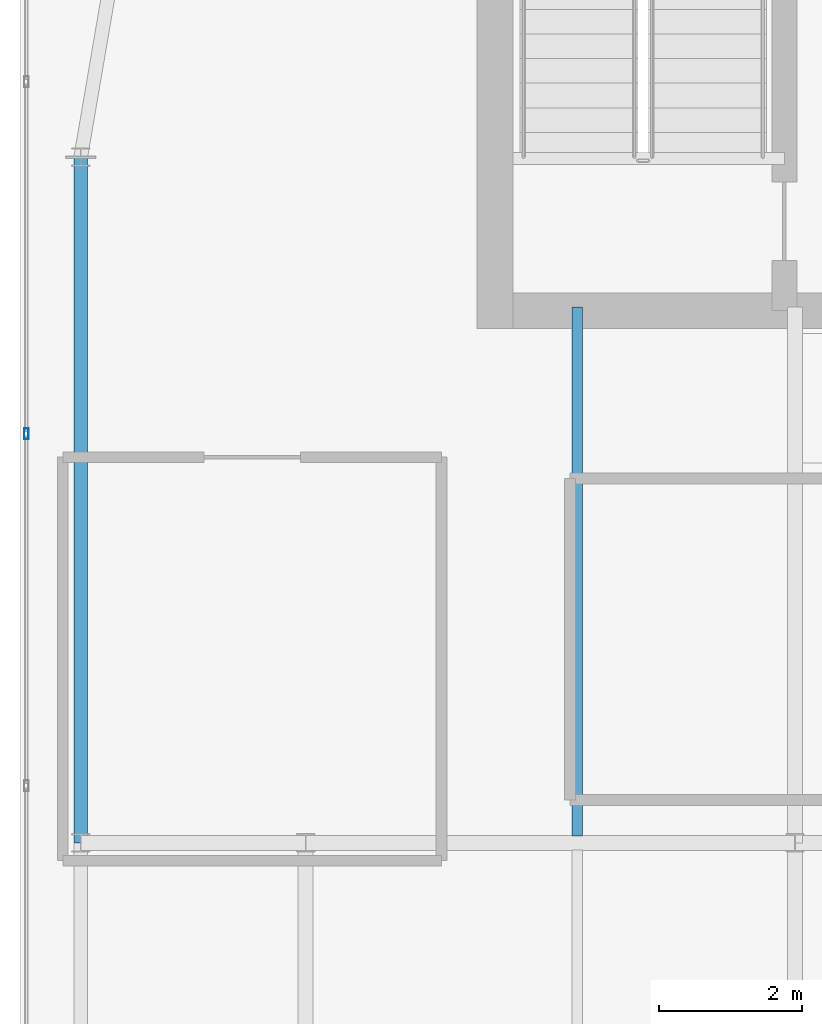
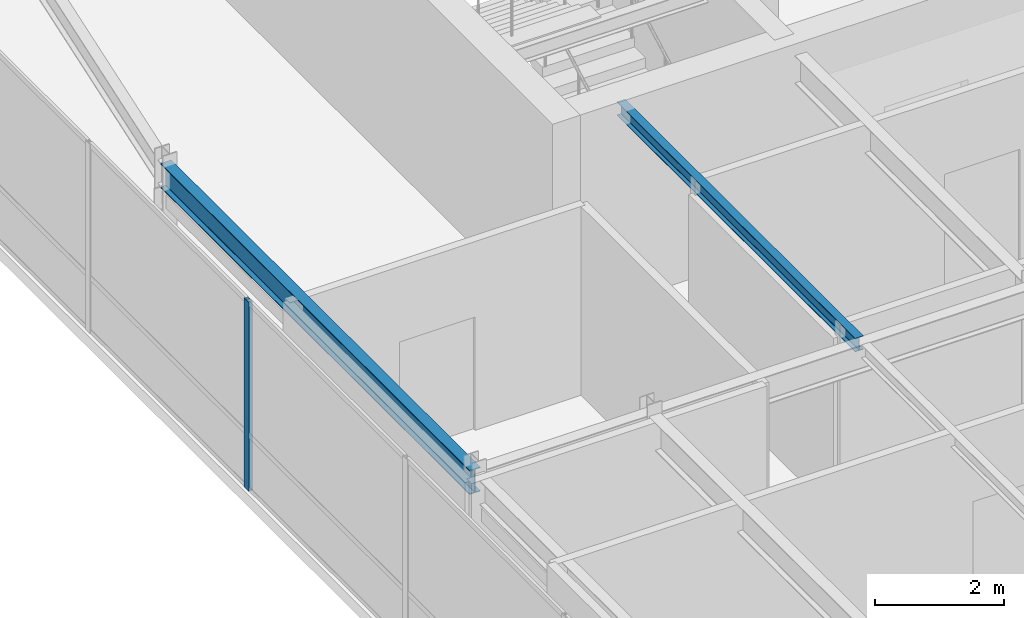
# One storey, part 17 of 36: 2 beams, 1 member, 1 element without a shape of its own.
"""IFC4 building model written with IfcOpenShell, lengths in metres."""

from ifc_helpers import new_model, si_unit, direction, frame, origin, origin_2d, place, context, subcontext, project, spatial, hollow_rectangle, i_section, extrude, source, transform, mapped, material, layer, layer_set, material_profile, profile_set, type_object, type_shapes, element, aggregate, save


model = new_model("IFC4")

# Units and contexts
model_context = context("Model", 3, precision=1e-05, world=origin(), true_north=direction((0.0, 1.0)))
body_context = subcontext(model_context, "Body", "Model", "MODEL_VIEW")
ifc_project = project(units=[si_unit("LENGTHUNIT", "METRE"), si_unit("AREAUNIT", "SQUARE_METRE"), si_unit("VOLUMEUNIT", "CUBIC_METRE"), si_unit("PLANEANGLEUNIT", "RADIAN"), si_unit("MASSUNIT", "GRAM", prefix="KILO")], contexts=[model_context])

# Site, building, storey
site_placement = place(None, origin())
site = spatial("IfcSite", under=ifc_project, at=site_placement, CompositionType="ELEMENT")
building_placement = place(site_placement, origin())
building = spatial("IfcBuilding", under=site, at=building_placement, Name="Tolvann Quenvar Hotel", CompositionType="ELEMENT")
storey_placement = place(building_placement, frame((0.0, 0.0, 298.550048828125)))
storey = spatial("IfcBuildingStorey", under=building, at=storey_placement, Name="L79", CompositionType="ELEMENT", Elevation=298.550048828125)

# Beams
ifc_material_1 = material(Name="Steel Grade 350", Category="steel")
ifc_material_profile_1 = material_profile(ifc_material_1, i_section(OverallWidth=0.19091796875, OverallDepth=0.4599609375, WebThickness=0.010009765625, FlangeThickness=0.01611328125, FilletRadius=0.011474609375, at=origin_2d()), Name="460UB82")
ifc_profile_set_1 = profile_set([ifc_material_profile_1], Name="Steel Grade 350")
beam_type_1 = type_object("IfcBeamType", Name="BM_SPAND_460UB82", PredefinedType="SPANDREL", material=ifc_profile_set_1)
shared_shape_1 = source(origin(), body_context, "Body", "SweptSolid", [
    extrude(i_section(OverallWidth=0.19091796875, OverallDepth=0.4599609375, WebThickness=0.010009765625, FlangeThickness=0.01611328125, FilletRadius=0.011474609375, at=origin_2d()), origin(), (0.0, 0.0, 1.0), 9.60009765625),
])
type_shapes(beam_type_1, [shared_shape_1])
beam_1_placement = place(storey_placement, frame((4.449951171875, 24.39990234375, 3.349853515625), z_axis=(0.0, 1.0, 0.0), x_axis=(-1.0, 0.0, 0.0)))
element("IfcBeam", 1, at=beam_1_placement, inside=storey, type_object=beam_type_1, Name="BM-L79-FLK-W1", PredefinedType="SPANDREL", context=body_context, shape_type="MappedRepresentation", body=[
    mapped(shared_shape_1, transform((0.0, 0.0, 0.0), x_axis=(1.0, 0.0, 0.0), y_axis=(0.0, 1.0, 0.0), z_axis=(0.0, 0.0, 1.0), scale=1.0)),
])
ifc_material_profile_2 = material_profile(ifc_material_1, i_section(OverallWidth=0.14599609375, OverallDepth=0.256103515625, WebThickness=0.00634765625, FlangeThickness=0.010986328125, FilletRadius=0.0087890625, at=origin_2d()), Name="250UB37")
ifc_profile_set_2 = profile_set([ifc_material_profile_2], Name="Steel Grade 350")
beam_type_2 = type_object("IfcBeamType", Name="BM_JOIST_250UB37", PredefinedType="JOIST", material=ifc_profile_set_2)
shared_shape_2 = source(origin(), body_context, "Body", "SweptSolid", [
    extrude(i_section(OverallWidth=0.14599609375, OverallDepth=0.256103515625, WebThickness=0.00634765625, FlangeThickness=0.010986328125, FilletRadius=0.0087890625, at=origin_2d()), origin(), (0.0, 0.0, 1.0), 7.4013671875),
])
type_shapes(beam_type_2, [shared_shape_2])
beam_2_placement = place(storey_placement, frame((11.39990234375, 24.49853515625, 3.451904296875), z_axis=(0.0, 1.0, 0.0), x_axis=(-1.0, 0.0, 0.0)))
element("IfcBeam", 2, at=beam_2_placement, inside=storey, type_object=beam_type_2, Name="BJ-L79-114-244", PredefinedType="JOIST", context=body_context, shape_type="MappedRepresentation", body=[
    mapped(shared_shape_2, transform((0.0, 0.0, 0.0), x_axis=(1.0, 0.0, 0.0), y_axis=(0.0, 1.0, 0.0), z_axis=(0.0, 0.0, 1.0), scale=1.0)),
])

# Curtain wall, member
ifc_material_2 = material(Name="Thermally broken anodised architectural aluminium 6063-T6 and laminated low-E glass", Category="aluminium")
ifc_layer = layer(ifc_material_2, 0.179931640625)
ifc_layer_set = layer_set([ifc_layer], Name="Thermally broken anodised architectural aluminium 6063-T6 and laminated low-E glass")
curtain_wall_type = type_object("IfcCurtainWallType", Name="CW_SYS_LANT_06", PredefinedType="USERDEFINED", material=ifc_layer_set)
curtain_wall_placement = place(storey_placement, origin())
curtain_wall = element("IfcCurtainWall", 3, at=curtain_wall_placement, inside=storey, type_object=curtain_wall_type, Name="Curtain Wall CW-LANT-06 (CWR-L79-E19)", ObjectType="UNITISED CURTAIN WALL", PredefinedType="USERDEFINED")
ifc_material_3 = material(Name="Anodised architectural aluminium 6063-T6 framing", Category="aluminium")
ifc_material_profile_3 = material_profile(ifc_material_3, hollow_rectangle(XDim=0.06494140625, YDim=0.14990234375, WallThickness=0.00390625, at=origin_2d()), Name="150x65x4RHS")
ifc_profile_set_3 = profile_set([ifc_material_profile_3], Name="Anodised architectural aluminium 6063-T6 framing")
member_type = type_object("IfcMemberType", Name="CW_MULL_150x65", PredefinedType="MULLION", material=ifc_profile_set_3)
shared_shape_3 = source(origin(), body_context, "Body", "SweptSolid", [
    extrude(hollow_rectangle(XDim=0.06494140625, YDim=0.14990234375, WallThickness=0.00390625, at=origin_2d()), origin(), (0.0, 0.0, 1.0), 3.579833984375),
])
type_shapes(member_type, [shared_shape_3])
member_placement = place(storey_placement, frame((3.68994140625, 30.127685546875, 0.0), z_axis=(0.0, 0.0, 1.0), x_axis=(1.0, 0.0, 0.0)))
member = element("IfcMember", 4, at=member_placement, type_object=member_type, Name="CW-LANT-06 mullion 3", PredefinedType="MULLION", context=body_context, shape_type="MappedRepresentation", body=[
    mapped(shared_shape_3, transform((0.0, 0.0, 0.0), x_axis=(1.0, 0.0, 0.0), y_axis=(0.0, 1.0, 0.0), z_axis=(0.0, 0.0, 1.0), scale=1.0)),
])
aggregate(curtain_wall, [member])

save(model, "model.ifc")
